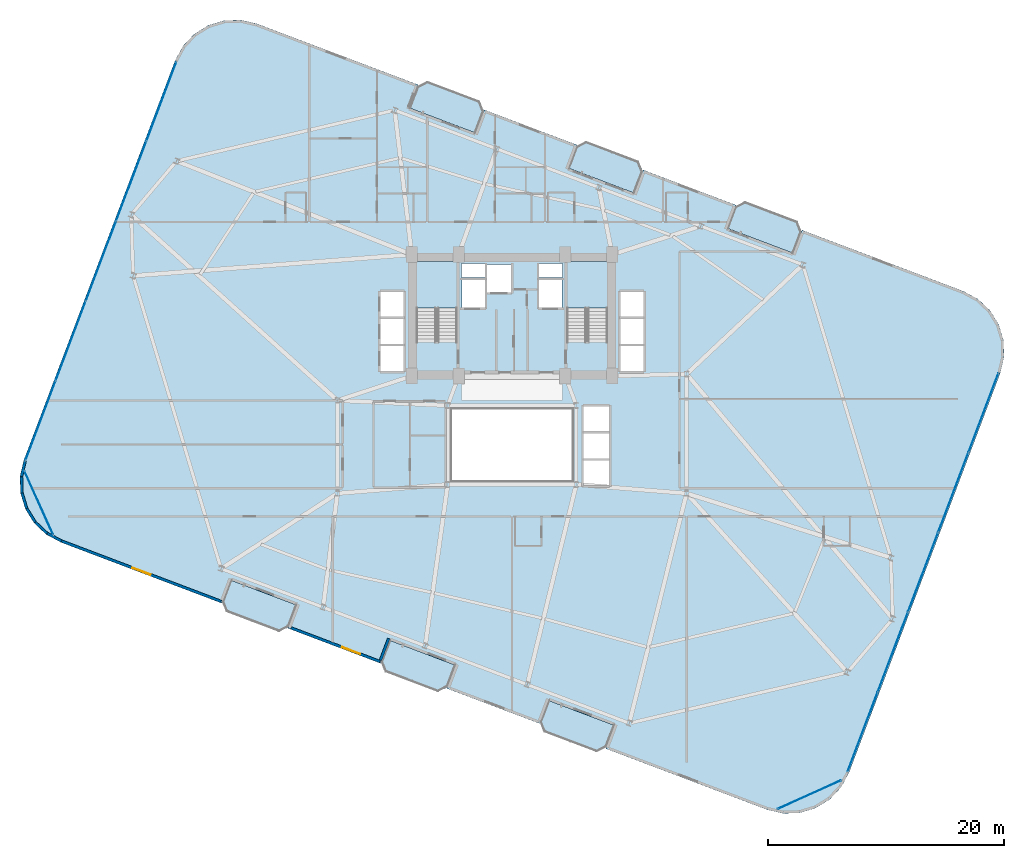
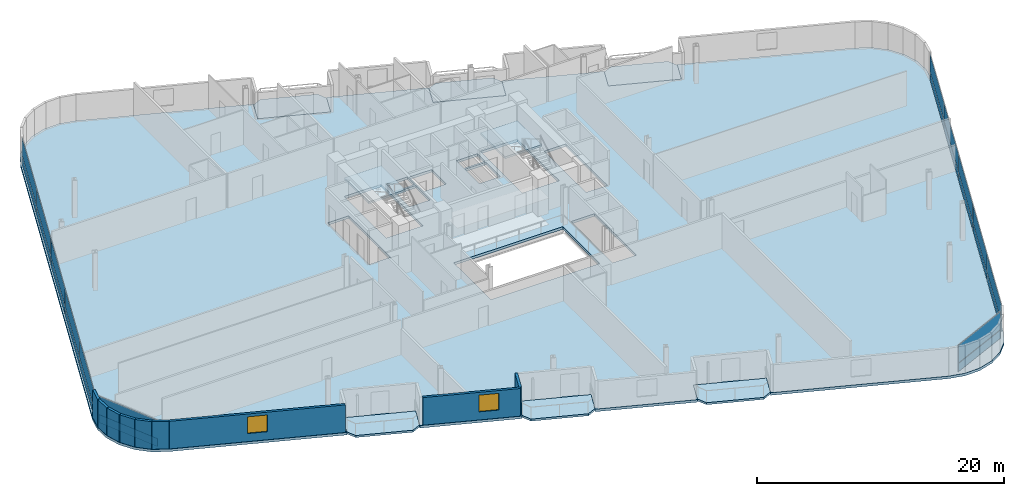
# One storey, part 17 of 25: 24 plates, 9 slabs, 9 walls, 2 windows, 2 openings, 6 elements without a shape of their own.
"""IFC4 building model written with IfcOpenShell, lengths in metres."""

from ifc_helpers import new_model, si_unit, direction, frame, frame_2d, origin, origin_2d, place, context, subcontext, project, spatial, polyline, rectangle, outline, extrude, source, transform, mapped, material, layer, layer_set, type_object, element, fill, aggregate, save


model = new_model("IFC4")

# Units and contexts
model_context = context("Model", 3, precision=1e-05, world=origin(), true_north=direction((0.0, 1.0)))
body_context = subcontext(model_context, "Body", "Model", "MODEL_VIEW")
ifc_project = project(units=[si_unit("LENGTHUNIT", "METRE"), si_unit("AREAUNIT", "SQUARE_METRE"), si_unit("VOLUMEUNIT", "CUBIC_METRE"), si_unit("PLANEANGLEUNIT", "RADIAN"), si_unit("MASSUNIT", "GRAM", prefix="KILO")], contexts=[model_context])

# Site, building, storey
site_placement = place(None, origin())
site = spatial("IfcSite", under=ifc_project, at=site_placement, CompositionType="ELEMENT")
building_placement = place(site_placement, origin())
building = spatial("IfcBuilding", under=site, at=building_placement, Name="Varnelok Gate Tower", CompositionType="ELEMENT")
storey_placement = place(building_placement, frame((0.0, 0.0, 105.800048828125)))
storey = spatial("IfcBuildingStorey", under=building, at=storey_placement, Name="L26", CompositionType="ELEMENT", Elevation=105.800048828125)

# Slabs
ifc_material_1 = material(Name="Concrete C45/55", Category="concrete")
ifc_layer_1 = layer(ifc_material_1, 0.199951171875)
ifc_layer_set_1 = layer_set([ifc_layer_1], Name="Concrete C45/55")
slab_type_1 = type_object("IfcSlabType", Name="SLB-BALC-200", PredefinedType="FLOOR", material=ifc_layer_set_1)
slab_1_placement = place(storey_placement, frame((0.0, 0.0, -0.199951171875)))
element("IfcSlab", 1, at=slab_1_placement, inside=storey, type_object=slab_type_1, Name="L26 South Hollow Balcony 1", PredefinedType="FLOOR", context=body_context, shape_type="SweptSolid", body=[
    extrude(outline(polyline([(14.64208984375, 9.576416015625), (15.019775390625, 8.738525390625), (19.415283203125, 7.074462890625), (20.25341796875, 7.4521484375), (20.96142578125, 9.322509765625), (15.35009765625, 11.447021484375), (14.64208984375, 9.576416015625)])), origin(), (0.0, 0.0, 1.0), 0.199951171875),
])
slab_2_placement = place(storey_placement, frame((0.0, 0.0, -0.199951171875)))
element("IfcSlab", 2, at=slab_2_placement, inside=storey, type_object=slab_type_1, Name="L26 South Hollow Balcony 2", PredefinedType="FLOOR", context=body_context, shape_type="SweptSolid", body=[
    extrude(outline(polyline([(28.109375, 4.47802734375), (28.487060546875, 3.639892578125), (32.882568359375, 1.975830078125), (33.720703125, 2.353515625), (34.4287109375, 4.22412109375), (28.8173828125, 6.348388671875), (28.109375, 4.47802734375)])), origin(), (0.0, 0.0, 1.0), 0.199951171875),
])
slab_3_placement = place(storey_placement, frame((0.0, 0.0, -0.199951171875)))
element("IfcSlab", 3, at=slab_3_placement, inside=storey, type_object=slab_type_1, Name="L26 South Hollow Balcony 3", PredefinedType="FLOOR", context=body_context, shape_type="SweptSolid", body=[
    extrude(outline(polyline([(41.576416015625, -0.62060546875), (41.9541015625, -1.45849609375), (46.349853515625, -3.12255859375), (47.187744140625, -2.744873046875), (47.89599609375, -0.87451171875), (42.28466796875, 1.25), (41.576416015625, -0.62060546875)])), origin(), (0.0, 0.0, 1.0), 0.199951171875),
])
slab_4_placement = place(storey_placement, frame((0.0, 0.0, -0.199951171875)))
element("IfcSlab", 4, at=slab_4_placement, inside=storey, type_object=slab_type_1, Name="L26 North Hollow Balcony 1", PredefinedType="FLOOR", context=body_context, shape_type="SweptSolid", body=[
    extrude(outline(polyline([(30.504150390625, 51.474365234375), (36.115478515625, 49.35009765625), (36.823486328125, 51.220458984375), (36.44580078125, 52.05859375), (32.05029296875, 53.72265625), (31.212158203125, 53.344970703125), (30.504150390625, 51.474365234375)])), origin(), (0.0, 0.0, 1.0), 0.199951171875),
])
slab_5_placement = place(storey_placement, frame((0.0, 0.0, -0.199951171875)))
element("IfcSlab", 5, at=slab_5_placement, inside=storey, type_object=slab_type_1, Name="L26 North Hollow Balcony 2", PredefinedType="FLOOR", context=body_context, shape_type="SweptSolid", body=[
    extrude(outline(polyline([(43.97119140625, 46.3759765625), (49.58251953125, 44.251708984375), (50.290771484375, 46.1220703125), (49.9130859375, 46.9599609375), (45.517333984375, 48.6240234375), (44.679443359375, 48.246337890625), (43.97119140625, 46.3759765625)])), origin(), (0.0, 0.0, 1.0), 0.199951171875),
])
slab_6_placement = place(storey_placement, frame((0.0, 0.0, -0.199951171875)))
element("IfcSlab", 6, at=slab_6_placement, inside=storey, type_object=slab_type_1, Name="L26 North Hollow Balcony 3", PredefinedType="FLOOR", context=body_context, shape_type="SweptSolid", body=[
    extrude(outline(polyline([(57.4384765625, 41.27734375), (63.0498046875, 39.153076171875), (63.7578125, 41.0234375), (63.380126953125, 41.861572265625), (58.984619140625, 43.525634765625), (58.146484375, 43.14794921875), (57.4384765625, 41.27734375)])), origin(), (0.0, 0.0, 1.0), 0.199951171875),
])

# Stair, slab
ifc_material_2 = material(Name="Concrete C50/60", Category="concrete")
stair_type = type_object("IfcStairType", Name="STR-CORE-1650", PredefinedType="HALF_TURN_STAIR", material=ifc_material_2)
stair_1_placement = place(storey_placement, origin())
stair_1 = element("IfcStair", 7, at=stair_1_placement, inside=storey, type_object=stair_type, Name="L26 Exit Stair ST-1", PredefinedType="HALF_TURN_STAIR")
ifc_layer_2 = layer(ifc_material_1, 0.199951171875)
ifc_layer_set_2 = layer_set([ifc_layer_2], Name="Concrete C45/55")
slab_type_2 = type_object("IfcSlabType", Name="SLB-LAND-200", PredefinedType="LANDING", material=ifc_layer_set_2)
slab_7_placement = place(storey_placement, frame((0.0, 0.0, 1.64990234375)))
slab_7 = element("IfcSlab", 8, at=slab_7_placement, type_object=slab_type_2, Name="ST-1 landing 1", PredefinedType="LANDING", context=body_context, shape_type="SweptSolid", body=[
    extrude(outline(polyline([(34.550048828125, 34.5), (34.550048828125, 38.449951171875), (31.10009765625, 38.449951171875), (31.10009765625, 34.5), (34.550048828125, 34.5)])), origin(), (0.0, 0.0, 1.0), 0.199951171875),
])
aggregate(stair_1, [slab_7])

stair_2_placement = place(storey_placement, origin())
stair_2 = element("IfcStair", 9, at=stair_2_placement, inside=storey, type_object=stair_type, Name="L26 Exit Stair ST-2", PredefinedType="HALF_TURN_STAIR")
slab_8_placement = place(storey_placement, frame((0.0, 0.0, 1.64990234375)))
slab_8 = element("IfcSlab", 10, at=slab_8_placement, type_object=slab_type_2, Name="ST-2 landing 1", PredefinedType="LANDING", context=body_context, shape_type="SweptSolid", body=[
    extrude(outline(polyline([(47.300048828125, 34.5), (47.300048828125, 38.449951171875), (43.85009765625, 38.449951171875), (43.85009765625, 34.5), (47.300048828125, 34.5)])), origin(), (0.0, 0.0, 1.0), 0.199951171875),
])
aggregate(stair_2, [slab_8])

# Slab
ifc_layer_3 = layer(ifc_material_2, 0.25)
ifc_layer_set_3 = layer_set([ifc_layer_3], Name="Concrete C50/60")
slab_type_3 = type_object("IfcSlabType", Name="SLB-TYP-250", PredefinedType="FLOOR", material=ifc_layer_set_3)
slab_9_placement = place(storey_placement, frame((0.0, 0.0, -0.25)))
element("IfcSlab", 11, at=slab_9_placement, inside=storey, type_object=slab_type_3, Name="L26 Structural Floor Slab", PredefinedType="FLOOR", context=body_context, shape_type="SweptSolid", body=[
    extrude(outline(polyline([(-2.185791015625, 21.614501953125), (-2.508544921875, 20.2421875), (-2.465087890625, 18.833251953125), (-2.05859375, 17.4833984375), (-1.31640625, 16.284912109375), (-0.28955078125, 15.319091796875), (0.952392578125, 14.65234375), (12.05029296875, 10.45068359375), (14.606689453125, 9.48291015625), (15.35009765625, 11.447021484375), (20.96142578125, 9.322509765625), (20.218017578125, 7.358642578125), (28.073974609375, 4.384521484375), (28.8173828125, 6.348388671875), (34.4287109375, 4.22412109375), (33.685302734375, 2.260009765625), (41.541015625, -0.714111328125), (42.28466796875, 1.25), (47.89599609375, -0.87451171875), (47.15234375, -2.83837890625), (49.708740234375, -3.80615234375), (60.806640625, -8.0078125), (62.1787109375, -8.33056640625), (63.587890625, -8.287109375), (64.937744140625, -7.880615234375), (66.13623046875, -7.138427734375), (67.101806640625, -6.111328125), (67.768798828125, -4.869384765625), (80.585693359375, 28.985595703125), (80.90869140625, 30.35791015625), (80.865234375, 31.766845703125), (80.45849609375, 33.11669921875), (79.716552734375, 34.315185546875), (78.689453125, 35.28076171875), (77.447509765625, 35.94775390625), (66.349609375, 40.1494140625), (63.793212890625, 41.116943359375), (63.0498046875, 39.153076171875), (57.4384765625, 41.27734375), (58.181884765625, 43.241455078125), (50.326171875, 46.215576171875), (49.58251953125, 44.251708984375), (43.97119140625, 46.3759765625), (44.71484375, 48.33984375), (36.85888671875, 51.31396484375), (36.115478515625, 49.35009765625), (30.504150390625, 51.474365234375), (31.24755859375, 53.4384765625), (28.69140625, 54.40625), (17.593505859375, 58.607666015625), (16.22119140625, 58.930419921875), (14.81201171875, 58.886962890625), (13.46240234375, 58.48046875), (12.263916015625, 57.73828125), (11.298095703125, 56.71142578125), (10.631103515625, 55.469482421875), (-2.185791015625, 21.614501953125)]), holes=[polyline([(34.550048828125, 31.679931640625), (34.550048828125, 38.449951171875), (31.10009765625, 38.449951171875), (31.10009765625, 31.679931640625), (34.550048828125, 31.679931640625)]), polyline([(47.300048828125, 31.679931640625), (47.300048828125, 38.449951171875), (43.85009765625, 38.449951171875), (43.85009765625, 31.679931640625), (47.300048828125, 31.679931640625)]), polyline([(34.949951171875, 34.550048828125), (36.89990234375, 34.550048828125), (36.89990234375, 36.89990234375), (34.949951171875, 36.89990234375), (34.949951171875, 34.550048828125)]), polyline([(41.5, 34.550048828125), (43.449951171875, 34.550048828125), (43.449951171875, 36.89990234375), (41.5, 36.89990234375), (41.5, 34.550048828125)]), polyline([(37.050048828125, 35.85009765625), (39.14990234375, 35.85009765625), (39.14990234375, 38.199951171875), (37.050048828125, 38.199951171875), (37.050048828125, 35.85009765625)]), polyline([(28.050048828125, 29.14990234375), (30.050048828125, 29.14990234375), (30.050048828125, 35.89990234375), (28.050048828125, 35.89990234375), (28.050048828125, 29.14990234375)]), polyline([(48.35009765625, 29.14990234375), (50.35009765625, 29.14990234375), (50.35009765625, 35.89990234375), (48.35009765625, 35.89990234375), (48.35009765625, 29.14990234375)]), polyline([(45.25, 19.449951171875), (47.449951171875, 19.449951171875), (47.449951171875, 26.199951171875), (45.25, 26.199951171875), (45.25, 19.449951171875)]), polyline([(34.919921875, 37.080078125), (36.89990234375, 37.080078125), (36.89990234375, 38.280029296875), (34.919921875, 38.280029296875), (34.919921875, 37.080078125)]), polyline([(41.5, 37.080078125), (43.47998046875, 37.080078125), (43.47998046875, 38.280029296875), (41.5, 38.280029296875), (41.5, 37.080078125)]), polyline([(34.10009765625, 19.89990234375), (44.300048828125, 19.89990234375), (44.300048828125, 25.89990234375), (34.10009765625, 25.89990234375), (34.10009765625, 19.89990234375)])]), origin(), (0.0, 0.0, 1.0), 0.25),
])

# Curtain wall, plates
ifc_material_3 = material(Name="Anodized Aluminum Alloy 6063-T6", Category="aluminium")
ifc_layer_4 = layer(ifc_material_3, 0.179931640625)
ifc_layer_set_4 = layer_set([ifc_layer_4], Name="Anodized Aluminum Alloy 6063-T6")
curtain_wall_type_1 = type_object("IfcCurtainWallType", Name="CW3-HOTEL-VISION", PredefinedType="USERDEFINED", material=ifc_layer_set_4)
curtain_wall_1_placement = place(storey_placement, origin())
curtain_wall_1 = element("IfcCurtainWall", 12, at=curtain_wall_1_placement, inside=storey, type_object=curtain_wall_type_1, Name="L26 West End Vision Curtain Wall", ObjectType="UNITISED CURTAIN WALL", PredefinedType="USERDEFINED")
ifc_material_4 = material(Name="Low-E Laminated Double Glazing IGU", Category="glass")
ifc_layer_5 = layer(ifc_material_4, 0.031982421875)
ifc_layer_set_5 = layer_set([ifc_layer_5], Name="Low-E Laminated Double Glazing IGU")
plate_type_1 = type_object("IfcPlateType", Name="CW-PNL-IGU32", PredefinedType="CURTAIN_PANEL", material=ifc_layer_set_5)
shared_shape_1 = source(origin(), body_context, "Body", "SweptSolid", [
    extrude(rectangle(XDim=7.142578125, YDim=0.031982421875, at=origin_2d()), origin(), (0.0, 0.0, 1.0), 0.802490234375),
])
plate_1_placement = place(storey_placement, frame((-0.767333984375, 24.965576171875, 0.06494140625), z_axis=(0.0, 0.0, 1.0), x_axis=(0.354063660545, 0.935221323688, 0.0)))
plate_1 = element("IfcPlate", 13, at=plate_1_placement, type_object=plate_type_1, Name="CW3 panel 1.1", PredefinedType="CURTAIN_PANEL", context=body_context, shape_type="MappedRepresentation", body=[
    mapped(shared_shape_1, transform((0.0, 0.0, 0.0), scale=1.0)),
])
plate_2_placement = place(storey_placement, frame((9.474853515625, 52.019287109375, 0.06494140625), z_axis=(0.0, 0.0, 1.0), x_axis=(0.354063660545, 0.935221323688, 0.0)))
plate_2 = element("IfcPlate", 14, at=plate_2_placement, type_object=plate_type_1, Name="CW3 panel 5.1", PredefinedType="CURTAIN_PANEL", context=body_context, shape_type="MappedRepresentation", body=[
    mapped(shared_shape_1, transform((0.0, 0.0, 0.0), scale=1.0)),
])

curtain_wall_2_placement = place(storey_placement, origin())
curtain_wall_2 = element("IfcCurtainWall", 15, at=curtain_wall_2_placement, inside=storey, type_object=curtain_wall_type_1, Name="L26 East End Vision Curtain Wall", ObjectType="UNITISED CURTAIN WALL", PredefinedType="USERDEFINED")
plate_3_placement = place(storey_placement, frame((79.16748046875, 25.634521484375, 0.06494140625), z_axis=(0.0, 0.0, 1.0), x_axis=(-0.354063660545, -0.935221323688, 0.0)))
plate_3 = element("IfcPlate", 16, at=plate_3_placement, type_object=plate_type_1, Name="CW3 panel 1.1", PredefinedType="CURTAIN_PANEL", context=body_context, shape_type="MappedRepresentation", body=[
    mapped(shared_shape_1, transform((0.0, 0.0, 0.0), scale=1.0)),
])
plate_4_placement = place(storey_placement, frame((68.92529296875, -1.419189453125, 0.06494140625), z_axis=(0.0, 0.0, 1.0), x_axis=(-0.354063660545, -0.935221323688, 0.0)))
plate_4 = element("IfcPlate", 17, at=plate_4_placement, type_object=plate_type_1, Name="CW3 panel 5.1", PredefinedType="CURTAIN_PANEL", context=body_context, shape_type="MappedRepresentation", body=[
    mapped(shared_shape_1, transform((0.0, 0.0, 0.0), scale=1.0)),
])

# Plate
shared_shape_2 = source(origin(), body_context, "Body", "SweptSolid", [
    extrude(rectangle(XDim=7.142578125, YDim=0.031982421875, at=origin_2d()), origin(), (0.0, 0.0, 1.0), 1.732421875),
])
plate_5_placement = place(storey_placement, frame((-0.767333984375, 24.965576171875, 0.932373046875), z_axis=(0.0, 0.0, 1.0), x_axis=(0.354063660545, 0.935221323688, 0.0)))
plate_5 = element("IfcPlate", 18, at=plate_5_placement, type_object=plate_type_1, Name="CW3 panel 1.2", PredefinedType="CURTAIN_PANEL", context=body_context, shape_type="MappedRepresentation", body=[
    mapped(shared_shape_2, transform((0.0, 0.0, 0.0), scale=1.0)),
])

plate_6_placement = place(storey_placement, frame((9.474853515625, 52.019287109375, 0.932373046875), z_axis=(0.0, 0.0, 1.0), x_axis=(0.354063660545, 0.935221323688, 0.0)))
plate_6 = element("IfcPlate", 19, at=plate_6_placement, type_object=plate_type_1, Name="CW3 panel 5.2", PredefinedType="CURTAIN_PANEL", context=body_context, shape_type="MappedRepresentation", body=[
    mapped(shared_shape_2, transform((0.0, 0.0, 0.0), scale=1.0)),
])

plate_7_placement = place(storey_placement, frame((79.16748046875, 25.634521484375, 0.932373046875), z_axis=(0.0, 0.0, 1.0), x_axis=(-0.354063660545, -0.935221323688, 0.0)))
plate_7 = element("IfcPlate", 20, at=plate_7_placement, type_object=plate_type_1, Name="CW3 panel 1.2", PredefinedType="CURTAIN_PANEL", context=body_context, shape_type="MappedRepresentation", body=[
    mapped(shared_shape_2, transform((0.0, 0.0, 0.0), scale=1.0)),
])

plate_8_placement = place(storey_placement, frame((68.92529296875, -1.419189453125, 0.932373046875), z_axis=(0.0, 0.0, 1.0), x_axis=(-0.354063660545, -0.935221323688, 0.0)))
plate_8 = element("IfcPlate", 21, at=plate_8_placement, type_object=plate_type_1, Name="CW3 panel 5.2", PredefinedType="CURTAIN_PANEL", context=body_context, shape_type="MappedRepresentation", body=[
    mapped(shared_shape_2, transform((0.0, 0.0, 0.0), scale=1.0)),
])

shared_shape_3 = source(origin(), body_context, "Body", "SweptSolid", [
    extrude(rectangle(XDim=7.175048828125, YDim=0.031982421875, at=origin_2d()), origin(), (0.0, 0.0, 1.0), 0.802490234375),
])
plate_9_placement = place(storey_placement, frame((1.790283203125, 31.721435546875, 0.06494140625), z_axis=(0.0, 0.0, 1.0), x_axis=(0.354063660545, 0.935221323688, 0.0)))
plate_9 = element("IfcPlate", 22, at=plate_9_placement, type_object=plate_type_1, Name="CW3 panel 2.1", PredefinedType="CURTAIN_PANEL", context=body_context, shape_type="MappedRepresentation", body=[
    mapped(shared_shape_3, transform((0.0, 0.0, 0.0), scale=1.0)),
])

plate_10_placement = place(storey_placement, frame((4.353759765625, 38.492431640625, 0.06494140625), z_axis=(0.0, 0.0, 1.0), x_axis=(0.354063660545, 0.935221323688, 0.0)))
plate_10 = element("IfcPlate", 23, at=plate_10_placement, type_object=plate_type_1, Name="CW3 panel 3.1", PredefinedType="CURTAIN_PANEL", context=body_context, shape_type="MappedRepresentation", body=[
    mapped(shared_shape_3, transform((0.0, 0.0, 0.0), scale=1.0)),
])

plate_11_placement = place(storey_placement, frame((6.9169921875, 45.263427734375, 0.06494140625), z_axis=(0.0, 0.0, 1.0), x_axis=(0.354063660545, 0.935221323688, 0.0)))
plate_11 = element("IfcPlate", 24, at=plate_11_placement, type_object=plate_type_1, Name="CW3 panel 4.1", PredefinedType="CURTAIN_PANEL", context=body_context, shape_type="MappedRepresentation", body=[
    mapped(shared_shape_3, transform((0.0, 0.0, 0.0), scale=1.0)),
])

plate_12_placement = place(storey_placement, frame((76.60986328125, 18.878662109375, 0.06494140625), z_axis=(0.0, 0.0, 1.0), x_axis=(-0.354063660545, -0.935221323688, 0.0)))
plate_12 = element("IfcPlate", 25, at=plate_12_placement, type_object=plate_type_1, Name="CW3 panel 2.1", PredefinedType="CURTAIN_PANEL", context=body_context, shape_type="MappedRepresentation", body=[
    mapped(shared_shape_3, transform((0.0, 0.0, 0.0), scale=1.0)),
])

plate_13_placement = place(storey_placement, frame((74.04638671875, 12.107666015625, 0.06494140625), z_axis=(0.0, 0.0, 1.0), x_axis=(-0.354063660545, -0.935221323688, 0.0)))
plate_13 = element("IfcPlate", 26, at=plate_13_placement, type_object=plate_type_1, Name="CW3 panel 3.1", PredefinedType="CURTAIN_PANEL", context=body_context, shape_type="MappedRepresentation", body=[
    mapped(shared_shape_3, transform((0.0, 0.0, 0.0), scale=1.0)),
])

plate_14_placement = place(storey_placement, frame((71.48291015625, 5.336669921875, 0.06494140625), z_axis=(0.0, 0.0, 1.0), x_axis=(-0.354063660545, -0.935221323688, 0.0)))
plate_14 = element("IfcPlate", 27, at=plate_14_placement, type_object=plate_type_1, Name="CW3 panel 4.1", PredefinedType="CURTAIN_PANEL", context=body_context, shape_type="MappedRepresentation", body=[
    mapped(shared_shape_3, transform((0.0, 0.0, 0.0), scale=1.0)),
])

shared_shape_4 = source(origin(), body_context, "Body", "SweptSolid", [
    extrude(rectangle(XDim=7.175048828125, YDim=0.031982421875, at=origin_2d()), origin(), (0.0, 0.0, 1.0), 1.732421875),
])
plate_15_placement = place(storey_placement, frame((1.790283203125, 31.721435546875, 0.932373046875), z_axis=(0.0, 0.0, 1.0), x_axis=(0.354063660545, 0.935221323688, 0.0)))
plate_15 = element("IfcPlate", 28, at=plate_15_placement, type_object=plate_type_1, Name="CW3 panel 2.2", PredefinedType="CURTAIN_PANEL", context=body_context, shape_type="MappedRepresentation", body=[
    mapped(shared_shape_4, transform((0.0, 0.0, 0.0), scale=1.0)),
])

plate_16_placement = place(storey_placement, frame((4.353759765625, 38.492431640625, 0.932373046875), z_axis=(0.0, 0.0, 1.0), x_axis=(0.354063660545, 0.935221323688, 0.0)))
plate_16 = element("IfcPlate", 29, at=plate_16_placement, type_object=plate_type_1, Name="CW3 panel 3.2", PredefinedType="CURTAIN_PANEL", context=body_context, shape_type="MappedRepresentation", body=[
    mapped(shared_shape_4, transform((0.0, 0.0, 0.0), scale=1.0)),
])

plate_17_placement = place(storey_placement, frame((6.9169921875, 45.263427734375, 0.932373046875), z_axis=(0.0, 0.0, 1.0), x_axis=(0.354063660545, 0.935221323688, 0.0)))
plate_17 = element("IfcPlate", 30, at=plate_17_placement, type_object=plate_type_1, Name="CW3 panel 4.2", PredefinedType="CURTAIN_PANEL", context=body_context, shape_type="MappedRepresentation", body=[
    mapped(shared_shape_4, transform((0.0, 0.0, 0.0), scale=1.0)),
])

aggregate(curtain_wall_1, [plate_1, plate_5, plate_9, plate_15, plate_10, plate_16, plate_11, plate_17, plate_2, plate_6])

plate_18_placement = place(storey_placement, frame((76.60986328125, 18.878662109375, 0.932373046875), z_axis=(0.0, 0.0, 1.0), x_axis=(-0.354063660545, -0.935221323688, 0.0)))
plate_18 = element("IfcPlate", 31, at=plate_18_placement, type_object=plate_type_1, Name="CW3 panel 2.2", PredefinedType="CURTAIN_PANEL", context=body_context, shape_type="MappedRepresentation", body=[
    mapped(shared_shape_4, transform((0.0, 0.0, 0.0), scale=1.0)),
])

plate_19_placement = place(storey_placement, frame((74.04638671875, 12.107666015625, 0.932373046875), z_axis=(0.0, 0.0, 1.0), x_axis=(-0.354063660545, -0.935221323688, 0.0)))
plate_19 = element("IfcPlate", 32, at=plate_19_placement, type_object=plate_type_1, Name="CW3 panel 3.2", PredefinedType="CURTAIN_PANEL", context=body_context, shape_type="MappedRepresentation", body=[
    mapped(shared_shape_4, transform((0.0, 0.0, 0.0), scale=1.0)),
])

plate_20_placement = place(storey_placement, frame((71.48291015625, 5.336669921875, 0.932373046875), z_axis=(0.0, 0.0, 1.0), x_axis=(-0.354063660545, -0.935221323688, 0.0)))
plate_20 = element("IfcPlate", 33, at=plate_20_placement, type_object=plate_type_1, Name="CW3 panel 4.2", PredefinedType="CURTAIN_PANEL", context=body_context, shape_type="MappedRepresentation", body=[
    mapped(shared_shape_4, transform((0.0, 0.0, 0.0), scale=1.0)),
])

aggregate(curtain_wall_2, [plate_3, plate_7, plate_12, plate_18, plate_13, plate_19, plate_14, plate_20, plate_4, plate_8])

# Curtain wall, plate
ifc_layer_6 = layer(ifc_material_3, 0.179931640625)
ifc_layer_set_6 = layer_set([ifc_layer_6], Name="Anodized Aluminum Alloy 6063-T6")
curtain_wall_type_2 = type_object("IfcCurtainWallType", Name="CW5-WINDCORNER-GLAZ", PredefinedType="USERDEFINED", material=ifc_layer_set_6)
curtain_wall_3_placement = place(storey_placement, origin())
curtain_wall_3 = element("IfcCurtainWall", 34, at=curtain_wall_3_placement, inside=storey, type_object=curtain_wall_type_2, Name="L26 Wind-Shaped Corner Curtain Wall SW", ObjectType="STRUCTURAL GLAZING", PredefinedType="USERDEFINED")
ifc_layer_7 = layer(ifc_material_4, 0.0419921875)
ifc_layer_set_7 = layer_set([ifc_layer_7], Name="Low-E Laminated Double Glazing IGU")
plate_type_2 = type_object("IfcPlateType", Name="CW-PNL-SPN42", PredefinedType="CURTAIN_PANEL", material=ifc_layer_set_7)
shared_shape_5 = source(origin(), body_context, "Body", "SweptSolid", [
    extrude(rectangle(XDim=5.8662109375, YDim=0.0419921875, at=origin_2d()), origin(), (0.0, 0.0, 1.0), 0.802490234375),
])
plate_21_placement = place(storey_placement, frame((-0.913330078125, 17.999755859375, 0.06494140625), z_axis=(0.0, 0.0, 1.0), x_axis=(0.410937369038, -0.911663577603, 0.0)))
plate_21 = element("IfcPlate", 35, at=plate_21_placement, type_object=plate_type_2, Name="CW5 panel 1.1", PredefinedType="CURTAIN_PANEL", context=body_context, shape_type="MappedRepresentation", body=[
    mapped(shared_shape_5, transform((0.0, 0.0, 0.0), scale=1.0)),
])

curtain_wall_4_placement = place(storey_placement, origin())
curtain_wall_4 = element("IfcCurtainWall", 36, at=curtain_wall_4_placement, inside=storey, type_object=curtain_wall_type_2, Name="L26 Wind-Shaped Corner Curtain Wall SE", ObjectType="STRUCTURAL GLAZING", PredefinedType="USERDEFINED")
plate_22_placement = place(storey_placement, frame((64.42138671875, -6.735107421875, 0.06494140625), z_axis=(0.0, 0.0, 1.0), x_axis=(0.911660761306, 0.41094361693, 0.0)))
plate_22 = element("IfcPlate", 37, at=plate_22_placement, type_object=plate_type_2, Name="CW5 panel 1.1", PredefinedType="CURTAIN_PANEL", context=body_context, shape_type="MappedRepresentation", body=[
    mapped(shared_shape_5, transform((0.0, 0.0, 0.0), scale=1.0)),
])

# Plate
shared_shape_6 = source(origin(), body_context, "Body", "SweptSolid", [
    extrude(rectangle(XDim=5.8662109375, YDim=0.0419921875, at=origin_2d()), origin(), (0.0, 0.0, 1.0), 1.732421875),
])
plate_23_placement = place(storey_placement, frame((-0.913330078125, 17.999755859375, 0.932373046875), z_axis=(0.0, 0.0, 1.0), x_axis=(0.410937369038, -0.911663577603, 0.0)))
plate_23 = element("IfcPlate", 38, at=plate_23_placement, type_object=plate_type_2, Name="CW5 panel 1.2", PredefinedType="CURTAIN_PANEL", context=body_context, shape_type="MappedRepresentation", body=[
    mapped(shared_shape_6, transform((0.0, 0.0, 0.0), scale=1.0)),
])

aggregate(curtain_wall_3, [plate_21, plate_23])

plate_24_placement = place(storey_placement, frame((64.42138671875, -6.735107421875, 0.932373046875), z_axis=(0.0, 0.0, 1.0), x_axis=(0.911660761306, 0.41094361693, 0.0)))
plate_24 = element("IfcPlate", 39, at=plate_24_placement, type_object=plate_type_2, Name="CW5 panel 1.2", PredefinedType="CURTAIN_PANEL", context=body_context, shape_type="MappedRepresentation", body=[
    mapped(shared_shape_6, transform((0.0, 0.0, 0.0), scale=1.0)),
])

aggregate(curtain_wall_4, [plate_22, plate_24])

# Walls
ifc_layer_8 = layer(ifc_material_1, 0.219970703125)
ifc_layer_set_8 = layer_set([ifc_layer_8], Name="Concrete C45/55")
wall_type = type_object("IfcWallType", Name="EW-BALC-220", PredefinedType="SOLIDWALL", material=ifc_layer_set_8)
wall_1_placement = place(storey_placement, frame((-2.072509765625, 21.571533203125, 0.0), z_axis=(0.0, 0.0, 1.0), x_axis=(-0.229049207401, -0.973414845063, 0.0)))
element("IfcWall", 40, at=wall_1_placement, inside=storey, type_object=wall_type, Name="L26 Perimeter Facade Closure Wall 1", PredefinedType="SOLIDWALL", context=body_context, shape_type="SweptSolid", body=[
    extrude(rectangle(XDim=1.378173828125, YDim=0.219970703125, at=frame_2d((0.68896484375, 0.0))), origin(), (0.0, 0.0, 1.0), 2.72998046875),
])
wall_2_placement = place(storey_placement, frame((-2.387451171875, 20.205078125, 0.0), z_axis=(0.0, 0.0, 1.0), x_axis=(0.030857297317, -0.999523800218, 0.0)))
element("IfcWall", 41, at=wall_2_placement, inside=storey, type_object=wall_type, Name="L26 Perimeter Facade Closure Wall 2", PredefinedType="SOLIDWALL", context=body_context, shape_type="SweptSolid", body=[
    extrude(rectangle(XDim=1.35302734375, YDim=0.219970703125, at=frame_2d((0.676513671875, 0.0))), origin(), (0.0, 0.0, 1.0), 2.72998046875),
])
wall_3_placement = place(storey_placement, frame((-2.33837890625, 18.82861328125, 0.0), z_axis=(0.0, 0.0, 1.0), x_axis=(0.288374187109, -0.957517795244, 0.0)))
element("IfcWall", 42, at=wall_3_placement, inside=storey, type_object=wall_type, Name="L26 Perimeter Facade Closure Wall 3", PredefinedType="SOLIDWALL", context=body_context, shape_type="SweptSolid", body=[
    extrude(rectangle(XDim=1.352783203125, YDim=0.219970703125, at=frame_2d((0.67626953125, 0.0))), origin(), (0.0, 0.0, 1.0), 2.72998046875),
])
wall_4_placement = place(storey_placement, frame((-1.93505859375, 17.511962890625, 0.0), z_axis=(0.0, 0.0, 1.0), x_axis=(0.526360826676, -0.850261301096, 0.0)))
element("IfcWall", 43, at=wall_4_placement, inside=storey, type_object=wall_type, Name="L26 Perimeter Facade Closure Wall 4", PredefinedType="SOLIDWALL", context=body_context, shape_type="SweptSolid", body=[
    extrude(rectangle(XDim=1.35302734375, YDim=0.219970703125, at=frame_2d((0.676513671875, 0.0))), origin(), (0.0, 0.0, 1.0), 2.72998046875),
])
wall_5_placement = place(storey_placement, frame((-1.20458984375, 16.344482421875, 0.0), z_axis=(0.0, 0.0, 1.0), x_axis=(0.7285124142, -0.685032599484, 0.0)))
element("IfcWall", 44, at=wall_5_placement, inside=storey, type_object=wall_type, Name="L26 Perimeter Facade Closure Wall 5", PredefinedType="SOLIDWALL", context=body_context, shape_type="SweptSolid", body=[
    extrude(rectangle(XDim=1.353271484375, YDim=0.219970703125, at=frame_2d((0.6767578125, 0.0))), origin(), (0.0, 0.0, 1.0), 2.72998046875),
])
wall_6_placement = place(storey_placement, frame((-0.19677734375, 15.405517578125, 0.0), z_axis=(0.0, 0.0, 1.0), x_axis=(0.881023507585, -0.47307248819, 0.0)))
element("IfcWall", 45, at=wall_6_placement, inside=storey, type_object=wall_type, Name="L26 Perimeter Facade Closure Wall 6", PredefinedType="SOLIDWALL", context=body_context, shape_type="SweptSolid", body=[
    extrude(rectangle(XDim=1.36083984375, YDim=0.219970703125, at=frame_2d((0.680419921875, 0.0))), origin(), (0.0, 0.0, 1.0), 2.72998046875),
])

# Wall, opening, window
wall_7_placement = place(storey_placement, frame((1.025634765625, 14.7529296875, 0.0), z_axis=(0.0, 0.0, 1.0), x_axis=(0.935222448475, -0.354060689526, 0.0)))
wall_7 = element("IfcWall", 46, at=wall_7_placement, inside=storey, type_object=wall_type, Name="L26 Perimeter Facade Closure Wall 7", PredefinedType="SOLIDWALL", context=body_context, shape_type="SweptSolid", body=[
    extrude(rectangle(XDim=14.447265625, YDim=0.219970703125, at=frame_2d((7.2236328125, 0.0))), origin(), (0.0, 0.0, 1.0), 2.72998046875),
])
opening_1_placement = place(wall_7_placement, frame((6.398681640625, 0.0, 0.800048828125)))
opening_1 = element("IfcOpeningElement", 47, at=opening_1_placement, cuts=wall_7, Name="Opening WN3", PredefinedType="OPENING", context=body_context, shape_type="SweptSolid", body=[
    extrude(rectangle(XDim=1.64990234375, YDim=1.64990234375, at=frame_2d((0.824951171875, 0.824951171875))), frame((0.0, 0.119873046875, 0.0), z_axis=(0.0, -1.0, 0.0), x_axis=(1.0, 0.0, 0.0)), (0.0, 0.0, 1.0), 0.239990234375),
])
window_type = type_object("IfcWindowType", Name="WN-HTL-1650", PartitioningType="SINGLE_PANEL", PredefinedType="WINDOW", material=ifc_material_4)
window_1_placement = place(opening_1_placement, origin())
window_1 = element("IfcWindow", 48, at=window_1_placement, inside=storey, type_object=window_type, Name="L26 Perimeter Vision Window 7", OverallHeight=1.64990234375, OverallWidth=1.64990234375, PartitioningType="SINGLE_PANEL", PredefinedType="WINDOW", context=body_context, shape_type="SweptSolid", body=[
    extrude(rectangle(XDim=1.64990234375, YDim=1.64990234375, at=frame_2d((0.824951171875, 0.824951171875))), frame((0.0, 0.030029296875, 0.0), z_axis=(0.0, -1.0, 0.0), x_axis=(1.0, 0.0, 0.0)), (0.0, 0.0, 1.0), 0.06005859375),
])
fill(opening_1, window_1)

wall_8_placement = place(storey_placement, frame((20.489501953125, 7.384033203125, 0.0), z_axis=(0.0, 0.0, 1.0), x_axis=(0.935230796934, -0.354038636968, 0.0)))
wall_8 = element("IfcWall", 49, at=wall_8_placement, inside=storey, type_object=wall_type, Name="L26 Perimeter Facade Closure Wall 10", PredefinedType="SOLIDWALL", context=body_context, shape_type="SweptSolid", body=[
    extrude(rectangle(XDim=8.03515625, YDim=0.219970703125, at=frame_2d((4.017578125, 0.0))), origin(), (0.0, 0.0, 1.0), 2.72998046875),
])
opening_2_placement = place(wall_8_placement, frame((4.59716796875, 0.0, 0.800048828125)))
opening_2 = element("IfcOpeningElement", 50, at=opening_2_placement, cuts=wall_8, Name="Opening WN3", PredefinedType="OPENING", context=body_context, shape_type="SweptSolid", body=[
    extrude(rectangle(XDim=1.64990234375, YDim=1.64990234375, at=frame_2d((0.824951171875, 0.824951171875))), frame((0.0, 0.119873046875, 0.0), z_axis=(0.0, -1.0, 0.0), x_axis=(1.0, 0.0, 0.0)), (0.0, 0.0, 1.0), 0.239990234375),
])
window_2_placement = place(opening_2_placement, origin())
window_2 = element("IfcWindow", 51, at=window_2_placement, inside=storey, type_object=window_type, Name="L26 Perimeter Vision Window 10", OverallHeight=1.64990234375, OverallWidth=1.64990234375, PartitioningType="SINGLE_PANEL", PredefinedType="WINDOW", context=body_context, shape_type="SweptSolid", body=[
    extrude(rectangle(XDim=1.64990234375, YDim=1.64990234375, at=frame_2d((0.824951171875, 0.824951171875))), frame((0.0, 0.030029296875, 0.0), z_axis=(0.0, -1.0, 0.0), x_axis=(1.0, 0.0, 0.0)), (0.0, 0.0, 1.0), 0.06005859375),
])
fill(opening_2, window_2)

# Wall
wall_9_placement = place(storey_placement, frame((28.04833984375, 4.656005859375, 0.0), z_axis=(0.0, 0.0, 1.0), x_axis=(0.354128791944, 0.935196663123, 0.0)))
element("IfcWall", 52, at=wall_9_placement, inside=storey, type_object=wall_type, Name="L26 Perimeter Facade Closure Wall 11", PredefinedType="SOLIDWALL", context=body_context, shape_type="SweptSolid", body=[
    extrude(rectangle(XDim=1.97509765625, YDim=0.219970703125, at=frame_2d((0.987548828125, 0.0))), origin(), (0.0, 0.0, 1.0), 2.72998046875),
])

save(model, "model.ifc")
